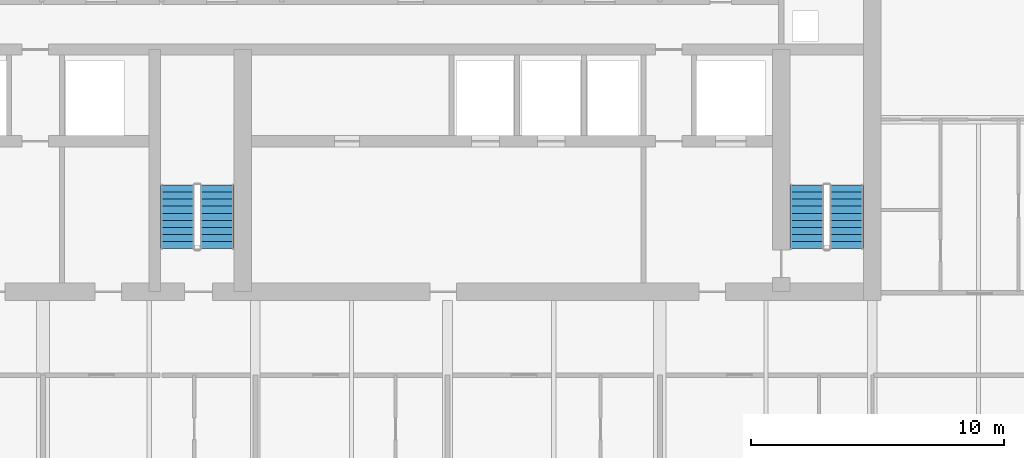
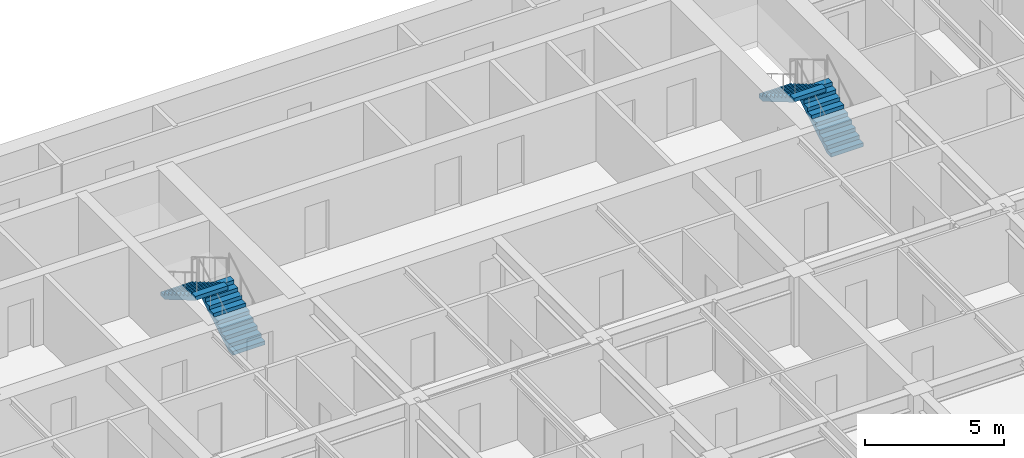
# One storey, part 14 of 18: 4 stair flights, 2 elements without a shape of their own.
"""IFC4 building model written with IfcOpenShell, lengths in metres."""

from ifc_helpers import new_model, si_unit, direction, frame, origin, place, context, subcontext, project, spatial, polyline, outline, extrude, material, type_object, element, aggregate, save


model = new_model("IFC4")

# Units and contexts
model_context = context("Model", 3, precision=1e-05, world=origin(), true_north=direction((0.0, 1.0)))
body_context = subcontext(model_context, "Body", "Model", "MODEL_VIEW")
ifc_project = project(units=[si_unit("LENGTHUNIT", "METRE"), si_unit("AREAUNIT", "SQUARE_METRE"), si_unit("VOLUMEUNIT", "CUBIC_METRE"), si_unit("PLANEANGLEUNIT", "RADIAN"), si_unit("MASSUNIT", "GRAM", prefix="KILO")], contexts=[model_context])

# Site, building, storey
site_placement = place(None, origin())
site = spatial("IfcSite", under=ifc_project, at=site_placement, CompositionType="ELEMENT")
building_placement = place(site_placement, origin())
building = spatial("IfcBuilding", under=site, at=building_placement, Name="Caelmar Bay Residences", CompositionType="ELEMENT")
storey_placement = place(building_placement, frame((0.0, 0.0, 170.39990234375)))
storey = spatial("IfcBuildingStorey", under=building, at=storey_placement, Name="L47", CompositionType="ELEMENT", Elevation=170.39990234375)

# Stair, stair flights
ifc_material = material(Name="Concrete f'c 40 MPa (6,000 psi)", Category="concrete")
stair_type = type_object("IfcStairType", Name="ST-TYP-165", PredefinedType="HALF_TURN_STAIR", material=ifc_material)
stair_1_placement = place(storey_placement, origin())
stair_1 = element("IfcStair", 1, at=stair_1_placement, inside=storey, type_object=stair_type, Name="L47 East Smokeproof Exit Stair ST2", PredefinedType="HALF_TURN_STAIR")
stair_flight_type = type_object("IfcStairFlightType", Name="STF-1350", PredefinedType="STRAIGHT", material=ifc_material)
stair_flight_1_placement = place(storey_placement, frame((58.47509765625, 38.699951171875, 0.0), z_axis=(0.0, 0.0, 1.0), x_axis=(0.0, 1.0, 0.0)))
stair_flight_1 = element("IfcStairFlight", 2, at=stair_flight_1_placement, type_object=stair_flight_type, Name="ST2 flight 1", NumberOfRisers=10, NumberOfTreads=9, PredefinedType="STRAIGHT", RiserHeight=0.165, TreadLength=0.28, context=body_context, shape_type="SweptSolid", body=[
    extrude(outline(polyline([(0.0, 0.0), (0.0, 0.1650390625), (0.280029296875, 0.1650390625), (0.280029296875, 0.330078125), (0.56005859375, 0.330078125), (0.56005859375, 0.4951171875), (0.840087890625, 0.4951171875), (0.840087890625, 0.659912109375), (1.1201171875, 0.659912109375), (1.1201171875, 0.824951171875), (1.39990234375, 0.824951171875), (1.39990234375, 0.989990234375), (1.679931640625, 0.989990234375), (1.679931640625, 1.155029296875), (1.9599609375, 1.155029296875), (1.9599609375, 1.320068359375), (2.239990234375, 1.320068359375), (2.239990234375, 1.485107421875), (2.52001953125, 1.485107421875), (2.52001953125, 1.64990234375), (2.52001953125, 1.31103515625), (0.295166015625, 0.0), (0.0, 0.0)])), frame((0.0, 0.675048828125, 0.0), z_axis=(0.0, -1.0, 0.0), x_axis=(1.0, 0.0, 0.0)), (0.0, 0.0, 1.0), 1.35009765625),
])
stair_flight_2_placement = place(storey_placement, frame((56.925048828125, 41.219970703125, 1.650146484375), z_axis=(0.0, 0.0, 1.0), x_axis=(0.0, -1.0, 0.0)))
stair_flight_2 = element("IfcStairFlight", 3, at=stair_flight_2_placement, type_object=stair_flight_type, Name="ST2 flight 2", NumberOfRisers=10, NumberOfTreads=9, PredefinedType="STRAIGHT", RiserHeight=0.165, TreadLength=0.28, context=body_context, shape_type="SweptSolid", body=[
    extrude(outline(polyline([(0.0, 0.0), (0.0, 0.1650390625), (0.280029296875, 0.1650390625), (0.280029296875, 0.330078125), (0.56005859375, 0.330078125), (0.56005859375, 0.4951171875), (0.840087890625, 0.4951171875), (0.840087890625, 0.659912109375), (1.1201171875, 0.659912109375), (1.1201171875, 0.824951171875), (1.39990234375, 0.824951171875), (1.39990234375, 0.989990234375), (1.679931640625, 0.989990234375), (1.679931640625, 1.155029296875), (1.9599609375, 1.155029296875), (1.9599609375, 1.320068359375), (2.239990234375, 1.320068359375), (2.239990234375, 1.485107421875), (2.52001953125, 1.485107421875), (2.52001953125, 1.64990234375), (2.52001953125, 1.31103515625), (0.295166015625, 0.0), (0.0, 0.0)])), frame((0.0, 0.675048828125, 0.0), z_axis=(0.0, -1.0, 0.0), x_axis=(1.0, 0.0, 0.0)), (0.0, 0.0, 1.0), 1.35009765625),
])
aggregate(stair_1, [stair_flight_1, stair_flight_2])

stair_2_placement = place(storey_placement, origin())
stair_2 = element("IfcStair", 4, at=stair_2_placement, inside=storey, type_object=stair_type, Name="L47 Central Smokeproof Exit Stair ST3", PredefinedType="HALF_TURN_STAIR")
stair_flight_3_placement = place(storey_placement, frame((33.574951171875, 38.699951171875, 0.0), z_axis=(0.0, 0.0, 1.0), x_axis=(0.0, 1.0, 0.0)))
stair_flight_3 = element("IfcStairFlight", 5, at=stair_flight_3_placement, type_object=stair_flight_type, Name="ST3 flight 1", NumberOfRisers=10, NumberOfTreads=9, PredefinedType="STRAIGHT", RiserHeight=0.165, TreadLength=0.28, context=body_context, shape_type="SweptSolid", body=[
    extrude(outline(polyline([(0.0, 0.0), (0.0, 0.1650390625), (0.280029296875, 0.1650390625), (0.280029296875, 0.330078125), (0.56005859375, 0.330078125), (0.56005859375, 0.4951171875), (0.840087890625, 0.4951171875), (0.840087890625, 0.659912109375), (1.1201171875, 0.659912109375), (1.1201171875, 0.824951171875), (1.39990234375, 0.824951171875), (1.39990234375, 0.989990234375), (1.679931640625, 0.989990234375), (1.679931640625, 1.155029296875), (1.9599609375, 1.155029296875), (1.9599609375, 1.320068359375), (2.239990234375, 1.320068359375), (2.239990234375, 1.485107421875), (2.52001953125, 1.485107421875), (2.52001953125, 1.64990234375), (2.52001953125, 1.31103515625), (0.295166015625, 0.0), (0.0, 0.0)])), frame((0.0, 0.675048828125, 0.0), z_axis=(0.0, -1.0, 0.0), x_axis=(1.0, 0.0, 0.0)), (0.0, 0.0, 1.0), 1.35009765625),
])
stair_flight_4_placement = place(storey_placement, frame((32.02490234375, 41.219970703125, 1.650146484375), z_axis=(0.0, 0.0, 1.0), x_axis=(0.0, -1.0, 0.0)))
stair_flight_4 = element("IfcStairFlight", 6, at=stair_flight_4_placement, type_object=stair_flight_type, Name="ST3 flight 2", NumberOfRisers=10, NumberOfTreads=9, PredefinedType="STRAIGHT", RiserHeight=0.165, TreadLength=0.28, context=body_context, shape_type="SweptSolid", body=[
    extrude(outline(polyline([(0.0, 0.0), (0.0, 0.1650390625), (0.280029296875, 0.1650390625), (0.280029296875, 0.330078125), (0.56005859375, 0.330078125), (0.56005859375, 0.4951171875), (0.840087890625, 0.4951171875), (0.840087890625, 0.659912109375), (1.1201171875, 0.659912109375), (1.1201171875, 0.824951171875), (1.39990234375, 0.824951171875), (1.39990234375, 0.989990234375), (1.679931640625, 0.989990234375), (1.679931640625, 1.155029296875), (1.9599609375, 1.155029296875), (1.9599609375, 1.320068359375), (2.239990234375, 1.320068359375), (2.239990234375, 1.485107421875), (2.52001953125, 1.485107421875), (2.52001953125, 1.64990234375), (2.52001953125, 1.31103515625), (0.295166015625, 0.0), (0.0, 0.0)])), frame((0.0, 0.675048828125, 0.0), z_axis=(0.0, -1.0, 0.0), x_axis=(1.0, 0.0, 0.0)), (0.0, 0.0, 1.0), 1.35009765625),
])
aggregate(stair_2, [stair_flight_3, stair_flight_4])

save(model, "model.ifc")
